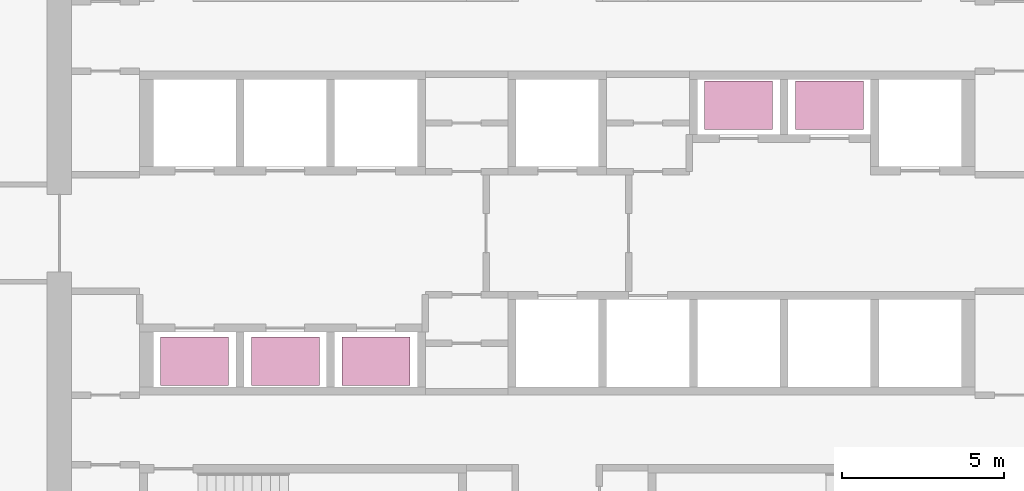
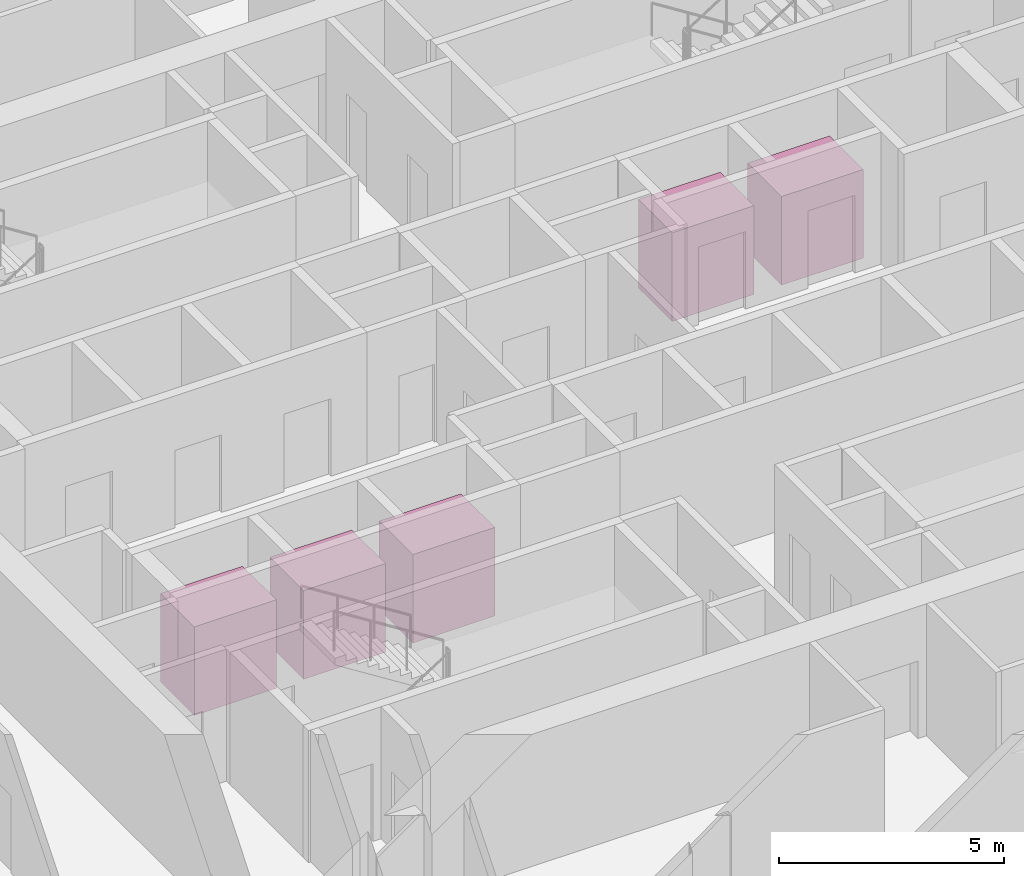
# One storey, part 24 of 24: 5 transport elements.
"""IFC4 building model written with IfcOpenShell, lengths in metres."""

from ifc_helpers import new_model, si_unit, direction, frame, origin, origin_2d, place, context, subcontext, project, spatial, rectangle, extrude, material, type_object, element, save


model = new_model("IFC4")

# Units and contexts
model_context = context("Model", 3, precision=1e-05, world=origin(), true_north=direction((0.0, 1.0)))
body_context = subcontext(model_context, "Body", "Model", "MODEL_VIEW")
ifc_project = project(units=[si_unit("LENGTHUNIT", "METRE"), si_unit("AREAUNIT", "SQUARE_METRE"), si_unit("VOLUMEUNIT", "CUBIC_METRE"), si_unit("PLANEANGLEUNIT", "RADIAN"), si_unit("MASSUNIT", "GRAM", prefix="KILO")], contexts=[model_context])

# Site, building, storey
site_placement = place(None, origin())
site = spatial("IfcSite", under=ifc_project, at=site_placement, CompositionType="ELEMENT")
building_placement = place(site_placement, origin())
building = spatial("IfcBuilding", under=site, at=building_placement, Name="Dhurran Vertical Campus", CompositionType="ELEMENT")
storey_placement = place(building_placement, frame((0.0, 0.0, 132.60009765625)))
storey = spatial("IfcBuildingStorey", under=building, at=storey_placement, Name="L32", CompositionType="ELEMENT", Elevation=132.60009765625)

# Transport elements
ifc_material = material(Name="Lift car, brushed stainless panels")
transport_element_type = type_object("IfcTransportElementType", Name="co-LIFT-MR", PredefinedType="ELEVATOR", material=ifc_material)
for number, where, z_axis, x_axis, name in (
    (1, (5.60009765625, 3.949951171875, 0.0), (0.0, 0.0, 1.0), (1.0, 0.0, 0.0), "Mid-rise passenger lift MR1"),
    (2, (8.39990234375, 3.949951171875, 0.0), (0.0, 0.0, 1.0), (1.0, 0.0, 0.0), "Mid-rise passenger lift MR2"),
    (3, (-11.199951171875, -3.949951171875, 0.0), (0.0, 0.0, 1.0), (1.0, 0.0, 0.0), "Mid-rise passenger lift MR3"),
    (4, (-8.39990234375, -3.949951171875, 0.0), (0.0, 0.0, 1.0), (1.0, 0.0, 0.0), "Mid-rise passenger lift MR4"),
    (5, (-5.60009765625, -3.949951171875, 0.0), (0.0, 0.0, 1.0), (1.0, 0.0, 0.0), "Mid-rise passenger lift MR5"),
):
    element("IfcTransportElement", number, at=place(storey_placement, frame(where, z_axis=z_axis, x_axis=x_axis)), inside=storey, type_object=transport_element_type, Name=name, PredefinedType="ELEVATOR", context=body_context, shape_type="SweptSolid", body=[
        extrude(rectangle(XDim=2.10009765625, YDim=1.5, at=origin_2d()), origin(), (0.0, 0.0, 1.0), 2.39990234375),
    ])

save(model, "model.ifc")
